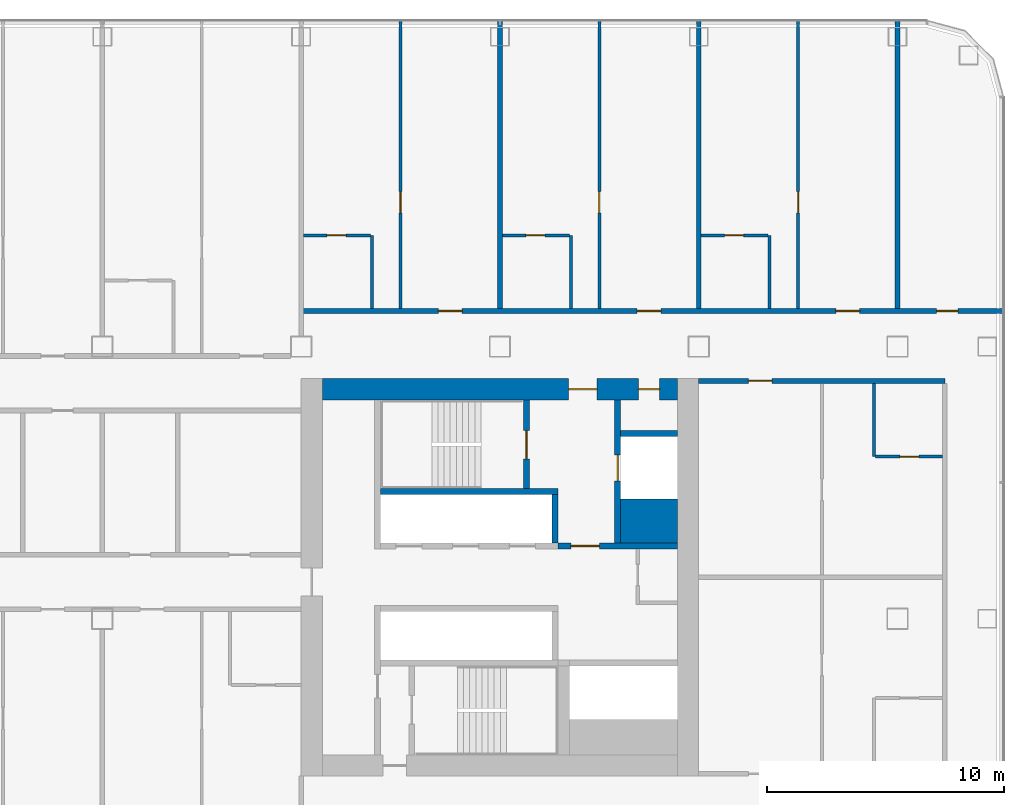
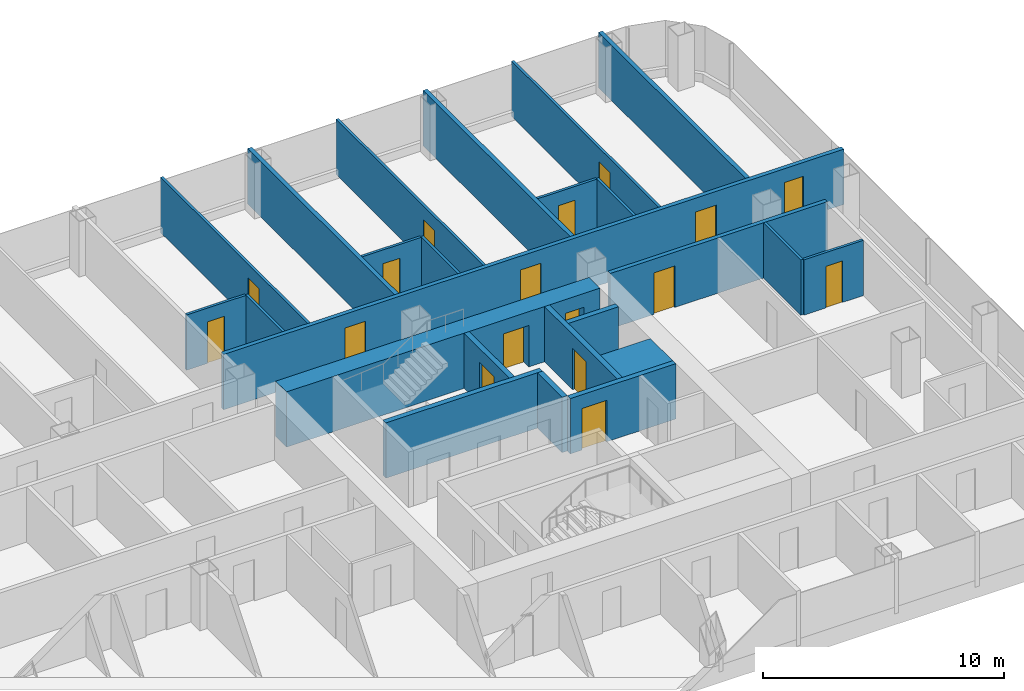
# One storey, part 20 of 29: 24 walls, 17 doors, 17 openings.
"""IFC4 building model written with IfcOpenShell, lengths in metres."""

import ifcopenshell
import ifcopenshell.guid

model = None  # the IFC model being written
_history = None  # IfcOwnerHistory: only IFC2X3 demands one
_inside = {}  # id of a spatial element -> (the spatial element, [elements in it])
_under = {}  # id of a project, library or spatial element -> (it, [spatial elements below it])
_declared = {}  # id of a project -> (the project, [libraries it declares])
_typed = {}  # id of a type object -> (the type object, [elements of that type])
_made_of = {}  # id of a material, layer set ... -> (it, [elements and type objects made of it])


def new_model(schema):
    """Start an empty IFC model of exactly this schema.

    Asked for "IFC4X3", IfcOpenShell would pick the latest addendum, in which some entities
    have other attributes; the version numbers below select the first issue.
    IFC2X3 requires an IfcOwnerHistory on every rooted entity: one is made here for all.
    """
    global model, _history
    if schema == "IFC4X3":
        model = ifcopenshell.file(schema_version=(4, 3, 0, 0))
    else:
        model = ifcopenshell.file(schema=schema)
    _inside.clear()
    _under.clear()
    _declared.clear()
    _typed.clear()
    _made_of.clear()
    _history = None
    if model.schema == "IFC2X3":
        org = make("IfcOrganization", Name="unknown")
        user = make(
            "IfcPersonAndOrganization",
            ThePerson=make("IfcPerson", FamilyName="unknown"),
            TheOrganization=org,
        )
        app = make(
            "IfcApplication",
            ApplicationDeveloper=org,
            Version="unknown",
            ApplicationFullName="unknown",
            ApplicationIdentifier="unknown",
        )
        _history = make(
            "IfcOwnerHistory",
            OwningUser=user,
            OwningApplication=app,
            ChangeAction="ADDED",
            CreationDate=0,
        )
    return model


def make(cls, **values):
    """One entity of the class cls with the attributes given. An attribute that is None is left unset."""
    return model.create_entity(
        cls, **{name: value for name, value in values.items() if value is not None}
    )


def rooted(cls, **values):
    """An entity with a GlobalId (a new one), such as an element, a storey or a relation."""
    return make(cls, GlobalId=ifcopenshell.guid.new(), OwnerHistory=_history, **values)


def si_unit(unit_type, name, prefix=None):
    """IfcSIUnit, for example si_unit("LENGTHUNIT", "METRE", prefix="MILLI")."""
    return make("IfcSIUnit", UnitType=unit_type, Prefix=prefix, Name=name)


def assignment(units):
    """IfcUnitAssignment: the units of a project."""
    return None if units is None else make("IfcUnitAssignment", Units=units)


def point(xyz):
    """IfcCartesianPoint."""
    return None if xyz is None else make("IfcCartesianPoint", Coordinates=xyz)


def direction(xyz):
    """IfcDirection."""
    return None if xyz is None else make("IfcDirection", DirectionRatios=xyz)


def frame(location, z_axis=None, x_axis=None):
    """IfcAxis2Placement3D, a coordinate frame: its origin and axes. An axis left out is left unset."""
    return make(
        "IfcAxis2Placement3D",
        Location=point(location),
        Axis=direction(z_axis),
        RefDirection=direction(x_axis),
    )


def frame_2d(location, x_axis=None):
    """IfcAxis2Placement2D, a coordinate frame in the plane: its origin and x axis."""
    return make(
        "IfcAxis2Placement2D", Location=point(location), RefDirection=direction(x_axis)
    )


def origin():
    """The frame at (0, 0, 0) with its axes left unset."""
    return frame((0.0, 0.0, 0.0))


def place(relative_to, where):
    """IfcLocalPlacement: puts the frame where relative to a parent placement (None: the world)."""
    return make(
        "IfcLocalPlacement", PlacementRelTo=relative_to, RelativePlacement=where
    )


def context(
    kind, dimensions, precision=None, world=None, true_north=None, identifier=None
):
    """IfcGeometricRepresentationContext, for example the 3D "Model" context."""
    return make(
        "IfcGeometricRepresentationContext",
        ContextIdentifier=identifier,
        ContextType=kind,
        CoordinateSpaceDimension=dimensions,
        Precision=precision,
        WorldCoordinateSystem=world,
        TrueNorth=true_north,
    )


def subcontext(parent, identifier, kind, view, scale=None):
    """IfcGeometricRepresentationSubContext, for example "Body" below "Model"."""
    return make(
        "IfcGeometricRepresentationSubContext",
        ContextIdentifier=identifier,
        ContextType=kind,
        ParentContext=parent,
        TargetScale=scale,
        TargetView=view,
    )


def project(units=None, contexts=None):
    """IfcProject with its units and contexts."""
    return rooted(
        "IfcProject",
        Name="project",
        RepresentationContexts=contexts,
        UnitsInContext=assignment(units),
    )


def spatial(cls, under=None, at=None, **own):
    """A site, building, storey or space (cls), placed at a placement, below another one or the project."""
    s = rooted(cls, ObjectPlacement=at, **own)
    if under is not None:
        _under.setdefault(under.id(), (under, []))[1].append(s)
    return s


def profile(cls, at=None, kind="AREA", **sizes):
    """A parametric profile (cls). Its sizes go by their IFC names, for example OverallWidth=200.0."""
    return make(cls, ProfileType=kind, Position=at, **sizes)


def rectangle(**sizes):
    """IfcRectangleProfileDef."""
    return profile("IfcRectangleProfileDef", **sizes)


def extrude(swept, where, along, depth):
    """IfcExtrudedAreaSolid: the profile swept, set in the frame where, extruded along a direction by depth."""
    return make(
        "IfcExtrudedAreaSolid",
        SweptArea=swept,
        Position=where,
        ExtrudedDirection=direction(along),
        Depth=depth,
    )


def shape(context_of_items, identifier, shape_type, items):
    """IfcShapeRepresentation: the items that make up one representation, for example the "Body"."""
    return make(
        "IfcShapeRepresentation",
        ContextOfItems=context_of_items,
        RepresentationIdentifier=identifier,
        RepresentationType=shape_type,
        Items=items,
    )


def material(Name=None, Category=None):
    """IfcMaterial."""
    return make("IfcMaterial", Name=Name, Category=Category)


def layer(
    of_material, thickness, ventilated=None, Name=None, Category=None, Priority=None
):
    """IfcMaterialLayer: one layer of a wall or slab, of a material (None: an air gap)."""
    return make(
        "IfcMaterialLayer",
        Material=of_material,
        LayerThickness=thickness,
        IsVentilated=ventilated,
        Name=Name,
        Category=Category,
        Priority=Priority,
    )


def layer_set(layers, Name=None):
    """IfcMaterialLayerSet."""
    return make("IfcMaterialLayerSet", MaterialLayers=layers, LayerSetName=Name)


def made_of(thing, what):
    """Note that an element or type object is made of a material, layer set ...; save() writes the relation."""
    if what is not None:
        _made_of.setdefault(what.id(), (what, []))[1].append(thing)
    return thing


def type_object(cls, material=None, **own):
    """A type object (cls), such as IfcWallType, which elements share."""
    return made_of(rooted(cls, **own), material)


def element(
    cls,
    number,
    at=None,
    inside=None,
    cuts=None,
    type_object=None,
    material=None,
    context=None,
    identifier="Body",
    shape_type=None,
    held_by="IfcProductDefinitionShape",
    body=None,
    shapes=None,
    **own,
):
    """One element of the class cls, such as IfcWall. Its Tag is "e" and its number.

    at: its placement. inside: the storey or other place that contains it. cuts: it is an
    opening in that element (IfcRelVoidsElement). A single representation is given by context,
    identifier, shape_type and body (its items); several are given by shapes. held_by: the class
    of the entity that holds the representations. save() writes the other relations.
    """
    e = rooted(cls, Tag="e%d" % number, ObjectPlacement=at, **own)
    if body is not None:
        shapes = [shape(context, identifier, shape_type, body)]
    if shapes is not None:
        e.Representation = make(held_by, Representations=shapes)
    if inside is not None:
        _inside.setdefault(inside.id(), (inside, []))[1].append(e)
    if cuts is not None:
        rooted(
            "IfcRelVoidsElement", RelatingBuildingElement=cuts, RelatedOpeningElement=e
        )
    if type_object is not None:
        _typed.setdefault(type_object.id(), (type_object, []))[1].append(e)
    return made_of(e, material)


def fill(opening, filler):
    """IfcRelFillsElement: the door or window that sits in an opening."""
    return rooted(
        "IfcRelFillsElement",
        RelatingOpeningElement=opening,
        RelatedBuildingElement=filler,
    )


def aggregate(whole, parts):
    """IfcRelAggregates: a whole, such as a stair, and the parts it consists of."""
    return rooted("IfcRelAggregates", RelatingObject=whole, RelatedObjects=parts)


def save(model, path):
    """Write the relations noted so far, then the file.

    IfcRelAggregates (storeys below a building ...), IfcRelContainedInSpatialStructure (elements
    in a storey), IfcRelDefinesByType, IfcRelAssociatesMaterial and IfcRelDeclares: one each for
    every whole, place, type object, material and project.
    """
    for whole, parts in _under.values():
        aggregate(whole, parts)
    for where, things in _inside.values():
        rooted(
            "IfcRelContainedInSpatialStructure",
            RelatedElements=things,
            RelatingStructure=where,
        )
    for kind, things in _typed.values():
        rooted("IfcRelDefinesByType", RelatedObjects=things, RelatingType=kind)
    for what, things in _made_of.values():
        rooted("IfcRelAssociatesMaterial", RelatedObjects=things, RelatingMaterial=what)
    for by, libraries in _declared.values():
        rooted("IfcRelDeclares", RelatingContext=by, RelatedDefinitions=libraries)
    model.write(path)


model = new_model("IFC4")

# Units and contexts
model_context = context("Model", 3, precision=1e-05, world=origin(), true_north=direction((0.0, 1.0)))
body_context = subcontext(model_context, "Body", "Model", "MODEL_VIEW")
ifc_project = project(units=[si_unit("LENGTHUNIT", "METRE"), si_unit("AREAUNIT", "SQUARE_METRE"), si_unit("VOLUMEUNIT", "CUBIC_METRE"), si_unit("PLANEANGLEUNIT", "RADIAN"), si_unit("MASSUNIT", "GRAM", prefix="KILO")], contexts=[model_context])

# Site, building, storey
site_placement = place(None, origin())
site = spatial("IfcSite", under=ifc_project, at=site_placement, CompositionType="ELEMENT")
building_placement = place(site_placement, origin())
building = spatial("IfcBuilding", under=site, at=building_placement, Name="Hakoniwa Tower and Hamabe Station Hall", CompositionType="ELEMENT")
storey_placement = place(building_placement, frame((0.0, 0.0, 88.199951171875)))
storey = spatial("IfcBuildingStorey", under=building, at=storey_placement, Name="L24", CompositionType="ELEMENT", Elevation=88.199951171875)

# Wall, opening, door
ifc_material_1 = material(Name="Gypsum board partition", Category="gypsum")
ifc_layer_1 = layer(ifc_material_1, 0.125)
ifc_layer_set_1 = layer_set([ifc_layer_1], Name="Bathroom Partition 125")
wall_type_1 = type_object("IfcWallType", Name="Bathroom Partition 125", PredefinedType="PARTITIONING", material=ifc_layer_set_1)
wall_1_placement = place(storey_placement, frame((41.0625, 5.10009765625, 0.0), z_axis=(0.0, 0.0, 1.0), x_axis=(1.0, 0.0, 0.0)))
wall_1 = element("IfcWall", 1, at=wall_1_placement, inside=storey, type_object=wall_type_1, Name="GW-L24-016", PredefinedType="PARTITIONING", context=body_context, shape_type="SweptSolid", body=[
    extrude(rectangle(XDim=2.83740234375, YDim=0.125, at=frame_2d((1.418701171875, 0.0))), origin(), (0.0, 0.0, 1.0), 2.800048828125),
])
opening_1_placement = place(wall_1_placement, frame((1.03759765625, 0.0, 0.0)))
opening_1 = element("IfcOpeningElement", 2, at=opening_1_placement, cuts=wall_1, Name="Opening GD-G2E0-32", PredefinedType="OPENING", context=body_context, shape_type="SweptSolid", body=[
    extrude(rectangle(XDim=0.800048828125, YDim=2.10009765625, at=frame_2d((0.39990234375, 1.050048828125))), frame((0.0, 0.072509765625, 0.0), z_axis=(0.0, -1.0, 0.0), x_axis=(1.0, 0.0, 0.0)), (0.0, 0.0, 1.0), 0.14501953125),
])
ifc_material_2 = material(Name="Timber door leaf", Category="wood")
door_type_1 = type_object("IfcDoorType", Name="Bathroom Door 800", OperationType="SINGLE_SWING_LEFT", PredefinedType="DOOR", material=ifc_material_2)
door_1_placement = place(opening_1_placement, origin())
door_1 = element("IfcDoor", 3, at=door_1_placement, inside=storey, type_object=door_type_1, Name="Door GD-G2E0-32", OperationType="SINGLE_SWING_RIGHT", OverallHeight=2.10009765625, OverallWidth=0.800048828125, PredefinedType="DOOR", context=body_context, shape_type="SweptSolid", body=[
    extrude(rectangle(XDim=0.800048828125, YDim=2.10009765625, at=frame_2d((0.39990234375, 1.050048828125))), frame((0.0, 0.02490234375, 0.0), z_axis=(0.0, -1.0, 0.0), x_axis=(1.0, 0.0, 0.0)), (0.0, 0.0, 1.0), 0.050048828125),
])
fill(opening_1, door_1)

wall_2_placement = place(storey_placement, frame((16.89990234375, 14.449951171875, 0.0), z_axis=(0.0, 0.0, 1.0), x_axis=(1.0, 0.0, 0.0)))
wall_2 = element("IfcWall", 4, at=wall_2_placement, inside=storey, type_object=wall_type_1, Name="GW-L24-026", PredefinedType="PARTITIONING", context=body_context, shape_type="SweptSolid", body=[
    extrude(rectangle(XDim=2.837646484375, YDim=0.125, at=frame_2d((1.4189453125, 0.0))), origin(), (0.0, 0.0, 1.0), 2.800048828125),
])
opening_2_placement = place(wall_2_placement, frame((1.0, 0.0, 0.0)))
opening_2 = element("IfcOpeningElement", 5, at=opening_2_placement, cuts=wall_2, Name="Opening GD-G2E0-55", PredefinedType="OPENING", context=body_context, shape_type="SweptSolid", body=[
    extrude(rectangle(XDim=0.800048828125, YDim=2.10009765625, at=frame_2d((0.39990234375, 1.050048828125))), frame((0.0, 0.072509765625, 0.0), z_axis=(0.0, -1.0, 0.0), x_axis=(1.0, 0.0, 0.0)), (0.0, 0.0, 1.0), 0.14501953125),
])
door_2_placement = place(opening_2_placement, origin())
door_2 = element("IfcDoor", 6, at=door_2_placement, inside=storey, type_object=door_type_1, Name="Door GD-G2E0-55", OperationType="SINGLE_SWING_RIGHT", OverallHeight=2.10009765625, OverallWidth=0.800048828125, PredefinedType="DOOR", context=body_context, shape_type="SweptSolid", body=[
    extrude(rectangle(XDim=0.800048828125, YDim=2.10009765625, at=frame_2d((0.39990234375, 1.050048828125))), frame((0.0, 0.02490234375, 0.0), z_axis=(0.0, -1.0, 0.0), x_axis=(1.0, 0.0, 0.0)), (0.0, 0.0, 1.0), 0.050048828125),
])
fill(opening_2, door_2)

wall_3_placement = place(storey_placement, frame((25.300048828125, 14.449951171875, 0.0), z_axis=(0.0, 0.0, 1.0), x_axis=(1.0, 0.0, 0.0)))
wall_3 = element("IfcWall", 7, at=wall_3_placement, inside=storey, type_object=wall_type_1, Name="GW-L24-027", PredefinedType="PARTITIONING", context=body_context, shape_type="SweptSolid", body=[
    extrude(rectangle(XDim=2.83740234375, YDim=0.125, at=frame_2d((1.418701171875, 0.0))), origin(), (0.0, 0.0, 1.0), 2.800048828125),
])
opening_3_placement = place(wall_3_placement, frame((1.0, 0.0, 0.0)))
opening_3 = element("IfcOpeningElement", 8, at=opening_3_placement, cuts=wall_3, Name="Opening GD-G2E0-56", PredefinedType="OPENING", context=body_context, shape_type="SweptSolid", body=[
    extrude(rectangle(XDim=0.800048828125, YDim=2.10009765625, at=frame_2d((0.39990234375, 1.050048828125))), frame((0.0, 0.072509765625, 0.0), z_axis=(0.0, -1.0, 0.0), x_axis=(1.0, 0.0, 0.0)), (0.0, 0.0, 1.0), 0.14501953125),
])
door_3_placement = place(opening_3_placement, origin())
door_3 = element("IfcDoor", 9, at=door_3_placement, inside=storey, type_object=door_type_1, Name="Door GD-G2E0-56", OperationType="SINGLE_SWING_LEFT", OverallHeight=2.10009765625, OverallWidth=0.800048828125, PredefinedType="DOOR", context=body_context, shape_type="SweptSolid", body=[
    extrude(rectangle(XDim=0.800048828125, YDim=2.10009765625, at=frame_2d((0.39990234375, 1.050048828125))), frame((0.0, 0.02490234375, 0.0), z_axis=(0.0, -1.0, 0.0), x_axis=(1.0, 0.0, 0.0)), (0.0, 0.0, 1.0), 0.050048828125),
])
fill(opening_3, door_3)

wall_4_placement = place(storey_placement, frame((33.699951171875, 14.449951171875, 0.0), z_axis=(0.0, 0.0, 1.0), x_axis=(1.0, 0.0, 0.0)))
wall_4 = element("IfcWall", 10, at=wall_4_placement, inside=storey, type_object=wall_type_1, Name="GW-L24-028", PredefinedType="PARTITIONING", context=body_context, shape_type="SweptSolid", body=[
    extrude(rectangle(XDim=2.837646484375, YDim=0.125, at=frame_2d((1.4189453125, 0.0))), origin(), (0.0, 0.0, 1.0), 2.800048828125),
])
opening_4_placement = place(wall_4_placement, frame((1.0, 0.0, 0.0)))
opening_4 = element("IfcOpeningElement", 11, at=opening_4_placement, cuts=wall_4, Name="Opening GD-G2E0-57", PredefinedType="OPENING", context=body_context, shape_type="SweptSolid", body=[
    extrude(rectangle(XDim=0.800048828125, YDim=2.10009765625, at=frame_2d((0.39990234375, 1.050048828125))), frame((0.0, 0.072509765625, 0.0), z_axis=(0.0, -1.0, 0.0), x_axis=(1.0, 0.0, 0.0)), (0.0, 0.0, 1.0), 0.14501953125),
])
door_4_placement = place(opening_4_placement, origin())
door_4 = element("IfcDoor", 12, at=door_4_placement, inside=storey, type_object=door_type_1, Name="Door GD-G2E0-57", OperationType="SINGLE_SWING_RIGHT", OverallHeight=2.10009765625, OverallWidth=0.800048828125, PredefinedType="DOOR", context=body_context, shape_type="SweptSolid", body=[
    extrude(rectangle(XDim=0.800048828125, YDim=2.10009765625, at=frame_2d((0.39990234375, 1.050048828125))), frame((0.0, 0.02490234375, 0.0), z_axis=(0.0, -1.0, 0.0), x_axis=(1.0, 0.0, 0.0)), (0.0, 0.0, 1.0), 0.050048828125),
])
fill(opening_4, door_4)

# Walls
for number, where, z_axis, x_axis, name in (
    (13, (19.800048828125, 11.35009765625, 0.0), (0.0, 0.0, 1.0), (0.0, 1.0, 0.0), "GW-L24-074"),
    (14, (28.199951171875, 11.35009765625, 0.0), (0.0, 0.0, 1.0), (0.0, 1.0, 0.0), "GW-L24-079"),
    (15, (36.60009765625, 11.35009765625, 0.0), (0.0, 0.0, 1.0), (0.0, 1.0, 0.0), "GW-L24-084"),
    (16, (41.0, 5.10009765625, 0.0), (0.0, 0.0, 1.0), (0.0, 1.0, 0.0), "GW-L24-089"),
):
    element("IfcWall", number, at=place(storey_placement, frame(where, z_axis=z_axis, x_axis=x_axis)), inside=storey, type_object=wall_type_1, Name=name, PredefinedType="PARTITIONING", context=body_context, shape_type="SweptSolid", body=[
        extrude(rectangle(XDim=3.099853515625, YDim=0.125, at=frame_2d((1.5498046875, 0.0))), origin(), (0.0, 0.0, 1.0), 2.800048828125),
    ])

# Wall, openings, doors
ifc_material_3 = material(Name="Concrete C72", Category="concrete")
ifc_layer_2 = layer(ifc_material_3, 0.89990234375)
ifc_layer_set_2 = layer_set([ifc_layer_2], Name="CORE WALL 900 C72")
wall_type_2 = type_object("IfcWallType", Name="CORE WALL 900 C72", PredefinedType="SHEAR", material=ifc_layer_set_2)
wall_5_placement = place(storey_placement, frame((17.699951171875, 7.949951171875, 0.0), z_axis=(0.0, 0.0, 1.0), x_axis=(1.0, 0.0, 0.0)))
wall_5 = element("IfcWall", 17, at=wall_5_placement, inside=storey, type_object=wall_type_2, Name="Core wall NORTH east", PredefinedType="SHEAR", context=body_context, shape_type="SweptSolid", body=[
    extrude(rectangle(XDim=15.0, YDim=0.89990234375, at=frame_2d((7.5, 0.0))), origin(), (0.0, 0.0, 1.0), 2.800048828125),
])
opening_5_placement = place(wall_5_placement, frame((10.39990234375, 0.0, 0.0)))
opening_5 = element("IfcOpeningElement", 18, at=opening_5_placement, cuts=wall_5, Name="Opening CD-E-FN1-12", PredefinedType="OPENING", context=body_context, shape_type="SweptSolid", body=[
    extrude(rectangle(XDim=1.199951171875, YDim=2.10009765625, at=frame_2d((0.60009765625, 1.050048828125))), frame((0.0, 0.4599609375, 0.0), z_axis=(0.0, -1.0, 0.0), x_axis=(1.0, 0.0, 0.0)), (0.0, 0.0, 1.0), 0.919921875),
])
opening_6_placement = place(wall_5_placement, frame((13.35009765625, 0.0, 0.0)))
opening_6 = element("IfcOpeningElement", 19, at=opening_6_placement, cuts=wall_5, Name="Opening CD-E-FN2-9", PredefinedType="OPENING", context=body_context, shape_type="SweptSolid", body=[
    extrude(rectangle(XDim=0.89990234375, YDim=2.10009765625, at=frame_2d((0.449951171875, 1.050048828125))), frame((0.0, 0.4599609375, 0.0), z_axis=(0.0, -1.0, 0.0), x_axis=(1.0, 0.0, 0.0)), (0.0, 0.0, 1.0), 0.919921875),
])
ifc_material_4 = material(Name="Steel fire door", Category="steel")
door_type_2 = type_object("IfcDoorType", Name="CORE DOOR 1200 FD60", OperationType="DOUBLE_DOOR_SINGLE_SWING", PredefinedType="DOOR", material=ifc_material_4)
door_5_placement = place(opening_5_placement, origin())
door_5 = element("IfcDoor", 20, at=door_5_placement, inside=storey, type_object=door_type_2, Name="Stair vestibule door to the fire-fighting lobby", OperationType="DOUBLE_DOOR_SINGLE_SWING", OverallHeight=2.10009765625, OverallWidth=1.199951171875, PredefinedType="DOOR", context=body_context, shape_type="SweptSolid", body=[
    extrude(rectangle(XDim=1.199951171875, YDim=2.10009765625, at=frame_2d((0.60009765625, 1.050048828125))), frame((0.0, 0.02490234375, 0.0), z_axis=(0.0, -1.0, 0.0), x_axis=(1.0, 0.0, 0.0)), (0.0, 0.0, 1.0), 0.050048828125),
])
fill(opening_5, door_5)
ifc_material_5 = material(Name="Steel fire door", Category="steel")
door_type_3 = type_object("IfcDoorType", Name="CORE DOOR 900 FD30", OperationType="NOTDEFINED", PredefinedType="DOOR", material=ifc_material_5)
door_6_placement = place(opening_6_placement, origin())
door_6 = element("IfcDoor", 21, at=door_6_placement, inside=storey, type_object=door_type_3, Name="Riser access door", OperationType="SINGLE_SWING_RIGHT", OverallHeight=2.10009765625, OverallWidth=0.89990234375, PredefinedType="DOOR", context=body_context, shape_type="SweptSolid", body=[
    extrude(rectangle(XDim=0.89990234375, YDim=2.10009765625, at=frame_2d((0.449951171875, 1.050048828125))), frame((0.0, 0.02490234375, 0.0), z_axis=(0.0, -1.0, 0.0), x_axis=(1.0, 0.0, 0.0)), (0.0, 0.0, 1.0), 0.050048828125),
])
fill(opening_6, door_6)

# Walls
ifc_material_6 = material(Name="Concrete C72", Category="concrete")
ifc_layer_3 = layer(ifc_material_6, 1.85009765625)
ifc_layer_set_3 = layer_set([ifc_layer_3], Name="CORE WEB WALL 1850 C72")
wall_type_3 = type_object("IfcWallType", Name="CORE WEB WALL 1850 C72", PredefinedType="SHEAR", material=ifc_layer_set_3)
wall_6_placement = place(storey_placement, frame((30.300048828125, 2.375, 0.0), z_axis=(0.0, 0.0, 1.0), x_axis=(1.0, 0.0, 0.0)))
element("IfcWall", 22, at=wall_6_placement, inside=storey, type_object=wall_type_3, Name="Core wall CA east", PredefinedType="SHEAR", context=body_context, shape_type="SweptSolid", body=[
    extrude(rectangle(XDim=2.39990234375, YDim=1.85009765625, at=frame_2d((1.199951171875, 0.0))), origin(), (0.0, 0.0, 1.0), 2.800048828125),
])
ifc_material_7 = material(Name="Concrete C72", Category="concrete")
ifc_layer_4 = layer(ifc_material_7, 0.25)
ifc_layer_set_4 = layer_set([ifc_layer_4], Name="CORE WEB WALL 250 C72")
wall_type_4 = type_object("IfcWallType", Name="CORE WEB WALL 250 C72", PredefinedType="SHEAR", material=ifc_layer_set_4)
wall_7_placement = place(storey_placement, frame((27.52490234375, 1.449951171875, 0.0), z_axis=(0.0, 0.0, 1.0), x_axis=(0.0, 1.0, 0.0)))
element("IfcWall", 23, at=wall_7_placement, inside=storey, type_object=wall_type_4, Name="Core wall NE east", PredefinedType="SHEAR", context=body_context, shape_type="SweptSolid", body=[
    extrude(rectangle(XDim=2.050048828125, YDim=0.25, at=frame_2d((1.02490234375, 0.0))), origin(), (0.0, 0.0, 1.0), 2.800048828125),
])
wall_8_placement = place(storey_placement, frame((20.14990234375, 3.625, 0.0), z_axis=(0.0, 0.0, 1.0), x_axis=(1.0, 0.0, 0.0)))
element("IfcWall", 24, at=wall_8_placement, inside=storey, type_object=wall_type_4, Name="Core wall NR east", PredefinedType="SHEAR", context=body_context, shape_type="SweptSolid", body=[
    extrude(rectangle(XDim=7.5, YDim=0.25, at=frame_2d((3.75, 0.0))), origin(), (0.0, 0.0, 1.0), 2.800048828125),
])

# Wall, opening, door
wall_9_placement = place(storey_placement, frame((26.324951171875, 3.75, 0.0), z_axis=(0.0, 0.0, 1.0), x_axis=(0.0, 1.0, 0.0)))
wall_9 = element("IfcWall", 25, at=wall_9_placement, inside=storey, type_object=wall_type_4, Name="Core wall NSE east", PredefinedType="SHEAR", context=body_context, shape_type="SweptSolid", body=[
    extrude(rectangle(XDim=3.75, YDim=0.25, at=frame_2d((1.875, 0.0))), origin(), (0.0, 0.0, 1.0), 2.800048828125),
])
opening_7_placement = place(wall_9_placement, frame((1.25, 0.0, 0.0)))
opening_7 = element("IfcOpeningElement", 26, at=opening_7_placement, cuts=wall_9, Name="Opening CD-E-SN-12", PredefinedType="OPENING", context=body_context, shape_type="SweptSolid", body=[
    extrude(rectangle(XDim=1.199951171875, YDim=2.10009765625, at=frame_2d((0.60009765625, 1.050048828125))), frame((0.0, 0.135009765625, 0.0), z_axis=(0.0, -1.0, 0.0), x_axis=(1.0, 0.0, 0.0)), (0.0, 0.0, 1.0), 0.27001953125),
])
door_7_placement = place(opening_7_placement, origin())
door_7 = element("IfcDoor", 27, at=door_7_placement, inside=storey, type_object=door_type_2, Name="Escape stair door", OperationType="DOUBLE_DOOR_SINGLE_SWING", OverallHeight=2.10009765625, OverallWidth=1.199951171875, PredefinedType="DOOR", context=body_context, shape_type="SweptSolid", body=[
    extrude(rectangle(XDim=1.199951171875, YDim=2.10009765625, at=frame_2d((0.60009765625, 1.050048828125))), frame((0.0, 0.02490234375, 0.0), z_axis=(0.0, -1.0, 0.0), x_axis=(1.0, 0.0, 0.0)), (0.0, 0.0, 1.0), 0.050048828125),
])
fill(opening_7, door_7)

wall_10_placement = place(storey_placement, frame((27.64990234375, 1.324951171875, 0.0), z_axis=(0.0, 0.0, 1.0), x_axis=(1.0, 0.0, 0.0)))
wall_10 = element("IfcWall", 28, at=wall_10_placement, inside=storey, type_object=wall_type_4, Name="Core wall ELN east", PredefinedType="SHEAR", context=body_context, shape_type="SweptSolid", body=[
    extrude(rectangle(XDim=5.050048828125, YDim=0.25, at=frame_2d((2.52490234375, 0.0))), origin(), (0.0, 0.0, 1.0), 2.800048828125),
])
opening_8_placement = place(wall_10_placement, frame((0.550048828125, 0.0, 0.0)))
opening_8 = element("IfcOpeningElement", 29, at=opening_8_placement, cuts=wall_10, Name="Opening CD-E-FL-12", PredefinedType="OPENING", context=body_context, shape_type="SweptSolid", body=[
    extrude(rectangle(XDim=1.199951171875, YDim=2.10009765625, at=frame_2d((0.60009765625, 1.050048828125))), frame((0.0, 0.135009765625, 0.0), z_axis=(0.0, -1.0, 0.0), x_axis=(1.0, 0.0, 0.0)), (0.0, 0.0, 1.0), 0.27001953125),
])
door_8_placement = place(opening_8_placement, origin())
door_8 = element("IfcDoor", 30, at=door_8_placement, inside=storey, type_object=door_type_2, Name="Stair vestibule door to the fire-fighting lobby", OperationType="DOUBLE_DOOR_SINGLE_SWING", OverallHeight=2.10009765625, OverallWidth=1.199951171875, PredefinedType="DOOR", context=body_context, shape_type="SweptSolid", body=[
    extrude(rectangle(XDim=1.199951171875, YDim=2.10009765625, at=frame_2d((0.60009765625, 1.050048828125))), frame((0.0, 0.02490234375, 0.0), z_axis=(0.0, -1.0, 0.0), x_axis=(1.0, 0.0, 0.0)), (0.0, 0.0, 1.0), 0.050048828125),
])
fill(opening_8, door_8)

wall_11_placement = place(storey_placement, frame((30.175048828125, 1.449951171875, 0.0), z_axis=(0.0, 0.0, 1.0), x_axis=(0.0, 1.0, 0.0)))
wall_11 = element("IfcWall", 31, at=wall_11_placement, inside=storey, type_object=wall_type_4, Name="Core wall FFF east", PredefinedType="SHEAR", context=body_context, shape_type="SweptSolid", body=[
    extrude(rectangle(XDim=6.050048828125, YDim=0.25, at=frame_2d((3.02490234375, 0.0))), origin(), (0.0, 0.0, 1.0), 2.800048828125),
])
opening_9_placement = place(wall_11_placement, frame((2.625, 0.0, 0.0)))
opening_9 = element("IfcOpeningElement", 32, at=opening_9_placement, cuts=wall_11, Name="Opening LD-FF2", PredefinedType="OPENING", context=body_context, shape_type="SweptSolid", body=[
    extrude(rectangle(XDim=1.10009765625, YDim=2.10009765625, at=frame_2d((0.550048828125, 1.050048828125))), frame((0.0, 0.135009765625, 0.0), z_axis=(0.0, -1.0, 0.0), x_axis=(1.0, 0.0, 0.0)), (0.0, 0.0, 1.0), 0.27001953125),
])
ifc_material_8 = material(Name="Stainless steel SUS304", Category="steel")
door_type_4 = type_object("IfcDoorType", Name="LIFT LANDING DOOR 1100 FD60", OperationType="DOUBLE_DOOR_SLIDING", PredefinedType="DOOR", material=ifc_material_8)
door_9_placement = place(opening_9_placement, origin())
door_9 = element("IfcDoor", 33, at=door_9_placement, inside=storey, type_object=door_type_4, Name="Lift landing door FF2 L24", OperationType="DOUBLE_DOOR_SLIDING", OverallHeight=2.10009765625, OverallWidth=1.10009765625, PredefinedType="DOOR", context=body_context, shape_type="SweptSolid", body=[
    extrude(rectangle(XDim=1.10009765625, YDim=2.10009765625, at=frame_2d((0.550048828125, 1.050048828125))), frame((0.0, 0.02490234375, 0.0), z_axis=(0.0, -1.0, 0.0), x_axis=(1.0, 0.0, 0.0)), (0.0, 0.0, 1.0), 0.050048828125),
])
fill(opening_9, door_9)

# Wall
wall_12_placement = place(storey_placement, frame((30.300048828125, 6.074951171875, 0.0), z_axis=(0.0, 0.0, 1.0), x_axis=(1.0, 0.0, 0.0)))
element("IfcWall", 34, at=wall_12_placement, inside=storey, type_object=wall_type_4, Name="Core wall C2 east", PredefinedType="SHEAR", context=body_context, shape_type="SweptSolid", body=[
    extrude(rectangle(XDim=2.39990234375, YDim=0.25, at=frame_2d((1.199951171875, 0.0))), origin(), (0.0, 0.0, 1.0), 2.800048828125),
])

# Wall, opening, door
ifc_material_9 = material(Name="Fire-rated gypsum board partition", Category="gypsum")
ifc_layer_5 = layer(ifc_material_9, 0.199951171875)
ifc_layer_set_5 = layer_set([ifc_layer_5], Name="Corridor Wall 200")
wall_type_5 = type_object("IfcWallType", Name="Corridor Wall 200", PredefinedType="PARTITIONING", material=ifc_layer_set_5)
wall_13_placement = place(storey_placement, frame((33.60009765625, 8.300048828125, 0.0), z_axis=(0.0, 0.0, 1.0), x_axis=(1.0, 0.0, 0.0)))
wall_13 = element("IfcWall", 35, at=wall_13_placement, inside=storey, type_object=wall_type_5, Name="GW-L24-019", PredefinedType="PARTITIONING", context=body_context, shape_type="SweptSolid", body=[
    extrude(rectangle(XDim=10.39990234375, YDim=0.199951171875, at=frame_2d((5.199951171875, 0.0))), origin(), (0.0, 0.0, 1.0), 2.800048828125),
])
opening_10_placement = place(wall_13_placement, frame((2.10009765625, 0.0, 0.0)))
opening_10 = element("IfcOpeningElement", 36, at=opening_10_placement, cuts=wall_13, Name="Opening GD-G2E0-38", PredefinedType="OPENING", context=body_context, shape_type="SweptSolid", body=[
    extrude(rectangle(XDim=1.0, YDim=2.10009765625, at=frame_2d((0.5, 1.050048828125))), frame((0.0, 0.10986328125, 0.0), z_axis=(0.0, -1.0, 0.0), x_axis=(1.0, 0.0, 0.0)), (0.0, 0.0, 1.0), 0.219970703125),
])
ifc_material_10 = material(Name="Timber door leaf", Category="wood")
door_type_5 = type_object("IfcDoorType", Name="Guest Entrance Door 1000", OperationType="SINGLE_SWING_LEFT", PredefinedType="DOOR", material=ifc_material_10)
door_10_placement = place(opening_10_placement, origin())
door_10 = element("IfcDoor", 37, at=door_10_placement, inside=storey, type_object=door_type_5, Name="Door GD-G2E0-38", OperationType="SINGLE_SWING_RIGHT", OverallHeight=2.10009765625, OverallWidth=1.0, PredefinedType="DOOR", context=body_context, shape_type="SweptSolid", body=[
    extrude(rectangle(XDim=1.0, YDim=2.10009765625, at=frame_2d((0.5, 1.050048828125))), frame((0.0, 0.02490234375, 0.0), z_axis=(0.0, -1.0, 0.0), x_axis=(1.0, 0.0, 0.0)), (0.0, 0.0, 1.0), 0.050048828125),
])
fill(opening_10, door_10)

# Wall, openings, doors
wall_14_placement = place(storey_placement, frame((16.800048828125, 11.25, 0.0), z_axis=(0.0, 0.0, 1.0), x_axis=(1.0, 0.0, 0.0)))
wall_14 = element("IfcWall", 38, at=wall_14_placement, inside=storey, type_object=wall_type_5, Name="GW-L24-022", PredefinedType="PARTITIONING", context=body_context, shape_type="SweptSolid", body=[
    extrude(rectangle(XDim=29.699951171875, YDim=0.199951171875, at=frame_2d((14.85009765625, 0.0))), origin(), (0.0, 0.0, 1.0), 2.800048828125),
])
opening_11_placement = place(wall_14_placement, frame((5.800048828125, 0.0, 0.0)))
opening_11 = element("IfcOpeningElement", 39, at=opening_11_placement, cuts=wall_14, Name="Opening GD-G2E0-47", PredefinedType="OPENING", context=body_context, shape_type="SweptSolid", body=[
    extrude(rectangle(XDim=1.0, YDim=2.10009765625, at=frame_2d((0.5, 1.050048828125))), frame((0.0, 0.10986328125, 0.0), z_axis=(0.0, -1.0, 0.0), x_axis=(1.0, 0.0, 0.0)), (0.0, 0.0, 1.0), 0.219970703125),
])
opening_12_placement = place(wall_14_placement, frame((14.199951171875, 0.0, 0.0)))
opening_12 = element("IfcOpeningElement", 40, at=opening_12_placement, cuts=wall_14, Name="Opening GD-G2E0-48", PredefinedType="OPENING", context=body_context, shape_type="SweptSolid", body=[
    extrude(rectangle(XDim=1.0, YDim=2.10009765625, at=frame_2d((0.5, 1.050048828125))), frame((0.0, 0.10986328125, 0.0), z_axis=(0.0, -1.0, 0.0), x_axis=(1.0, 0.0, 0.0)), (0.0, 0.0, 1.0), 0.219970703125),
])
opening_13_placement = place(wall_14_placement, frame((22.60009765625, 0.0, 0.0)))
opening_13 = element("IfcOpeningElement", 41, at=opening_13_placement, cuts=wall_14, Name="Opening GD-G2E0-49", PredefinedType="OPENING", context=body_context, shape_type="SweptSolid", body=[
    extrude(rectangle(XDim=1.0, YDim=2.10009765625, at=frame_2d((0.5, 1.050048828125))), frame((0.0, 0.10986328125, 0.0), z_axis=(0.0, -1.0, 0.0), x_axis=(1.0, 0.0, 0.0)), (0.0, 0.0, 1.0), 0.219970703125),
])
opening_14_placement = place(wall_14_placement, frame((26.85009765625, 0.0, 0.0)))
opening_14 = element("IfcOpeningElement", 42, at=opening_14_placement, cuts=wall_14, Name="Opening GD-G2E0-50", PredefinedType="OPENING", context=body_context, shape_type="SweptSolid", body=[
    extrude(rectangle(XDim=0.89990234375, YDim=2.10009765625, at=frame_2d((0.449951171875, 1.050048828125))), frame((0.0, 0.10986328125, 0.0), z_axis=(0.0, -1.0, 0.0), x_axis=(1.0, 0.0, 0.0)), (0.0, 0.0, 1.0), 0.219970703125),
])
door_11_placement = place(opening_11_placement, origin())
door_11 = element("IfcDoor", 43, at=door_11_placement, inside=storey, type_object=door_type_5, Name="Door GD-G2E0-47", OperationType="SINGLE_SWING_LEFT", OverallHeight=2.10009765625, OverallWidth=1.0, PredefinedType="DOOR", context=body_context, shape_type="SweptSolid", body=[
    extrude(rectangle(XDim=1.0, YDim=2.10009765625, at=frame_2d((0.5, 1.050048828125))), frame((0.0, 0.02490234375, 0.0), z_axis=(0.0, -1.0, 0.0), x_axis=(1.0, 0.0, 0.0)), (0.0, 0.0, 1.0), 0.050048828125),
])
fill(opening_11, door_11)
door_12_placement = place(opening_12_placement, origin())
door_12 = element("IfcDoor", 44, at=door_12_placement, inside=storey, type_object=door_type_5, Name="Door GD-G2E0-48", OperationType="SINGLE_SWING_RIGHT", OverallHeight=2.10009765625, OverallWidth=1.0, PredefinedType="DOOR", context=body_context, shape_type="SweptSolid", body=[
    extrude(rectangle(XDim=1.0, YDim=2.10009765625, at=frame_2d((0.5, 1.050048828125))), frame((0.0, 0.02490234375, 0.0), z_axis=(0.0, -1.0, 0.0), x_axis=(1.0, 0.0, 0.0)), (0.0, 0.0, 1.0), 0.050048828125),
])
fill(opening_12, door_12)
door_13_placement = place(opening_13_placement, origin())
door_13 = element("IfcDoor", 45, at=door_13_placement, inside=storey, type_object=door_type_5, Name="Door GD-G2E0-49", OperationType="SINGLE_SWING_LEFT", OverallHeight=2.10009765625, OverallWidth=1.0, PredefinedType="DOOR", context=body_context, shape_type="SweptSolid", body=[
    extrude(rectangle(XDim=1.0, YDim=2.10009765625, at=frame_2d((0.5, 1.050048828125))), frame((0.0, 0.02490234375, 0.0), z_axis=(0.0, -1.0, 0.0), x_axis=(1.0, 0.0, 0.0)), (0.0, 0.0, 1.0), 0.050048828125),
])
fill(opening_13, door_13)
ifc_material_11 = material(Name="Timber door leaf", Category="wood")
door_type_6 = type_object("IfcDoorType", Name="Service Door 900", OperationType="SINGLE_SWING_LEFT", PredefinedType="DOOR", material=ifc_material_11)
door_14_placement = place(opening_14_placement, origin())
door_14 = element("IfcDoor", 46, at=door_14_placement, inside=storey, type_object=door_type_6, Name="Door GD-G2E0-50", OperationType="SINGLE_SWING_RIGHT", OverallHeight=2.10009765625, OverallWidth=0.89990234375, PredefinedType="DOOR", context=body_context, shape_type="SweptSolid", body=[
    extrude(rectangle(XDim=0.89990234375, YDim=2.10009765625, at=frame_2d((0.449951171875, 1.050048828125))), frame((0.0, 0.02490234375, 0.0), z_axis=(0.0, -1.0, 0.0), x_axis=(1.0, 0.0, 0.0)), (0.0, 0.0, 1.0), 0.050048828125),
])
fill(opening_14, door_14)

# Walls
ifc_material_12 = material(Name="Fire-rated gypsum board partition", Category="gypsum")
ifc_layer_6 = layer(ifc_material_12, 0.199951171875)
ifc_layer_set_6 = layer_set([ifc_layer_6], Name="Party Wall 200")
wall_type_6 = type_object("IfcWallType", Name="Party Wall 200", PredefinedType="PARTITIONING", material=ifc_layer_set_6)
for number, where, z_axis, x_axis, name in (
    (47, (25.199951171875, 11.35009765625, 0.0), (0.0, 0.0, 1.0), (0.0, 1.0, 0.0), "GW-L24-078"),
    (48, (33.60009765625, 11.35009765625, 0.0), (0.0, 0.0, 1.0), (0.0, 1.0, 0.0), "GW-L24-083"),
    (49, (42.0, 11.35009765625, 0.0), (0.0, 0.0, 1.0), (0.0, 1.0, 0.0), "GW-L24-091"),
):
    element("IfcWall", number, at=place(storey_placement, frame(where, z_axis=z_axis, x_axis=x_axis)), inside=storey, type_object=wall_type_6, Name=name, PredefinedType="PARTITIONING", context=body_context, shape_type="SweptSolid", body=[
        extrude(rectangle(XDim=12.199951171875, YDim=0.199951171875, at=frame_2d((6.10009765625, 0.0))), origin(), (0.0, 0.0, 1.0), 2.800048828125),
    ])

# Wall, opening, door
ifc_material_13 = material(Name="Gypsum board partition", Category="gypsum")
ifc_layer_7 = layer(ifc_material_13, 0.125)
ifc_layer_set_7 = layer_set([ifc_layer_7], Name="Room Partition 125")
wall_type_7 = type_object("IfcWallType", Name="Room Partition 125", PredefinedType="PARTITIONING", material=ifc_layer_set_7)
wall_15_placement = place(storey_placement, frame((21.0, 11.35009765625, 0.0), z_axis=(0.0, 0.0, 1.0), x_axis=(0.0, 1.0, 0.0)))
wall_15 = element("IfcWall", 50, at=wall_15_placement, inside=storey, type_object=wall_type_7, Name="GW-L24-076", PredefinedType="PARTITIONING", context=body_context, shape_type="SweptSolid", body=[
    extrude(rectangle(XDim=12.199951171875, YDim=0.125, at=frame_2d((6.10009765625, 0.0))), origin(), (0.0, 0.0, 1.0), 2.800048828125),
])
opening_15_placement = place(wall_15_placement, frame((4.050048828125, 0.0, 0.0)))
opening_15 = element("IfcOpeningElement", 51, at=opening_15_placement, cuts=wall_15, Name="Opening GD-G2E0-66", PredefinedType="OPENING", context=body_context, shape_type="SweptSolid", body=[
    extrude(rectangle(XDim=0.89990234375, YDim=2.10009765625, at=frame_2d((0.449951171875, 1.050048828125))), frame((0.0, 0.072509765625, 0.0), z_axis=(0.0, -1.0, 0.0), x_axis=(1.0, 0.0, 0.0)), (0.0, 0.0, 1.0), 0.14501953125),
])
ifc_material_14 = material(Name="Timber door leaf", Category="wood")
door_type_7 = type_object("IfcDoorType", Name="Suite Interior Door 900", OperationType="SINGLE_SWING_LEFT", PredefinedType="DOOR", material=ifc_material_14)
door_15_placement = place(opening_15_placement, origin())
door_15 = element("IfcDoor", 52, at=door_15_placement, inside=storey, type_object=door_type_7, Name="Door GD-G2E0-66", OperationType="SINGLE_SWING_LEFT", OverallHeight=2.10009765625, OverallWidth=0.89990234375, PredefinedType="DOOR", context=body_context, shape_type="SweptSolid", body=[
    extrude(rectangle(XDim=0.89990234375, YDim=2.10009765625, at=frame_2d((0.449951171875, 1.050048828125))), frame((0.0, 0.02490234375, 0.0), z_axis=(0.0, -1.0, 0.0), x_axis=(1.0, 0.0, 0.0)), (0.0, 0.0, 1.0), 0.050048828125),
])
fill(opening_15, door_15)

wall_16_placement = place(storey_placement, frame((29.39990234375, 11.35009765625, 0.0), z_axis=(0.0, 0.0, 1.0), x_axis=(0.0, 1.0, 0.0)))
wall_16 = element("IfcWall", 53, at=wall_16_placement, inside=storey, type_object=wall_type_7, Name="GW-L24-081", PredefinedType="PARTITIONING", context=body_context, shape_type="SweptSolid", body=[
    extrude(rectangle(XDim=12.199951171875, YDim=0.125, at=frame_2d((6.10009765625, 0.0))), origin(), (0.0, 0.0, 1.0), 2.800048828125),
])
opening_16_placement = place(wall_16_placement, frame((4.050048828125, 0.0, 0.0)))
opening_16 = element("IfcOpeningElement", 54, at=opening_16_placement, cuts=wall_16, Name="Opening GD-G2E0-67", PredefinedType="OPENING", context=body_context, shape_type="SweptSolid", body=[
    extrude(rectangle(XDim=0.89990234375, YDim=2.10009765625, at=frame_2d((0.449951171875, 1.050048828125))), frame((0.0, 0.072509765625, 0.0), z_axis=(0.0, -1.0, 0.0), x_axis=(1.0, 0.0, 0.0)), (0.0, 0.0, 1.0), 0.14501953125),
])
door_16_placement = place(opening_16_placement, origin())
door_16 = element("IfcDoor", 55, at=door_16_placement, inside=storey, type_object=door_type_7, Name="Door GD-G2E0-67", OperationType="SINGLE_SWING_RIGHT", OverallHeight=2.10009765625, OverallWidth=0.89990234375, PredefinedType="DOOR", context=body_context, shape_type="SweptSolid", body=[
    extrude(rectangle(XDim=0.89990234375, YDim=2.10009765625, at=frame_2d((0.449951171875, 1.050048828125))), frame((0.0, 0.02490234375, 0.0), z_axis=(0.0, -1.0, 0.0), x_axis=(1.0, 0.0, 0.0)), (0.0, 0.0, 1.0), 0.050048828125),
])
fill(opening_16, door_16)

wall_17_placement = place(storey_placement, frame((37.800048828125, 11.35009765625, 0.0), z_axis=(0.0, 0.0, 1.0), x_axis=(0.0, 1.0, 0.0)))
wall_17 = element("IfcWall", 56, at=wall_17_placement, inside=storey, type_object=wall_type_7, Name="GW-L24-086", PredefinedType="PARTITIONING", context=body_context, shape_type="SweptSolid", body=[
    extrude(rectangle(XDim=12.199951171875, YDim=0.125, at=frame_2d((6.10009765625, 0.0))), origin(), (0.0, 0.0, 1.0), 2.800048828125),
])
opening_17_placement = place(wall_17_placement, frame((4.050048828125, 0.0, 0.0)))
opening_17 = element("IfcOpeningElement", 57, at=opening_17_placement, cuts=wall_17, Name="Opening GD-G2E0-68", PredefinedType="OPENING", context=body_context, shape_type="SweptSolid", body=[
    extrude(rectangle(XDim=0.89990234375, YDim=2.10009765625, at=frame_2d((0.449951171875, 1.050048828125))), frame((0.0, 0.072509765625, 0.0), z_axis=(0.0, -1.0, 0.0), x_axis=(1.0, 0.0, 0.0)), (0.0, 0.0, 1.0), 0.14501953125),
])
door_17_placement = place(opening_17_placement, origin())
door_17 = element("IfcDoor", 58, at=door_17_placement, inside=storey, type_object=door_type_7, Name="Door GD-G2E0-68", OperationType="SINGLE_SWING_LEFT", OverallHeight=2.10009765625, OverallWidth=0.89990234375, PredefinedType="DOOR", context=body_context, shape_type="SweptSolid", body=[
    extrude(rectangle(XDim=0.89990234375, YDim=2.10009765625, at=frame_2d((0.449951171875, 1.050048828125))), frame((0.0, 0.02490234375, 0.0), z_axis=(0.0, -1.0, 0.0), x_axis=(1.0, 0.0, 0.0)), (0.0, 0.0, 1.0), 0.050048828125),
])
fill(opening_17, door_17)

save(model, "model.ifc")
